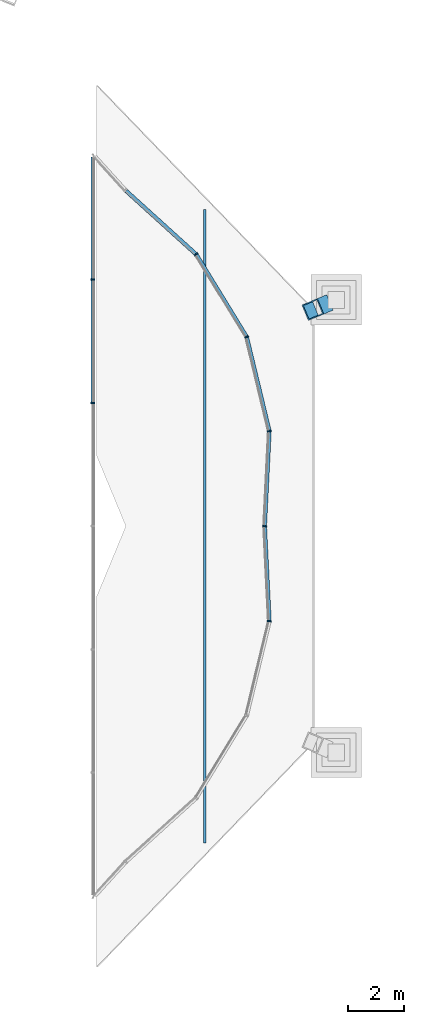
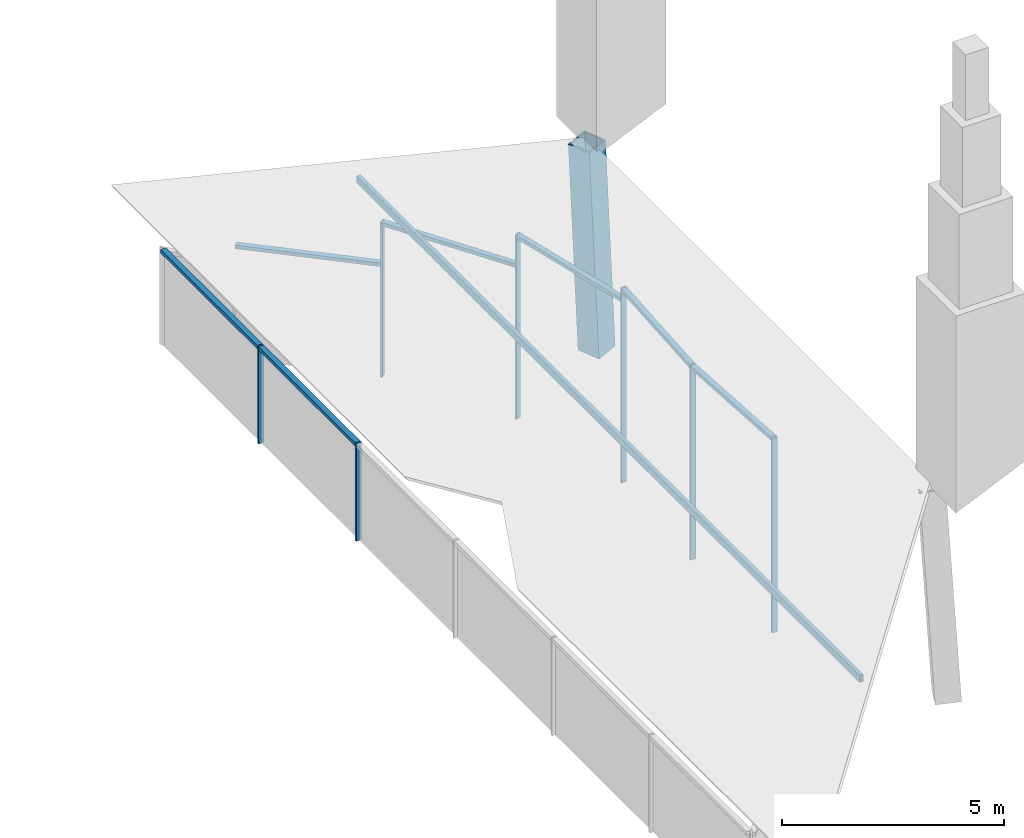
# One storey, part 2 of 8: 16 members, 4 elements without a shape of their own.
"""IFC4 building model written with IfcOpenShell, lengths in metres."""

from ifc_helpers import new_model, si_unit, direction, frame, origin, origin_2d, place, context, subcontext, project, spatial, rectangle, hollow_rectangle, extrude, material, material_profile, profile_set, type_object, element, aggregate, save


model = new_model("IFC4")

# Units and contexts
model_context = context("Model", 3, precision=1e-05, world=origin(), true_north=direction((0.0, 1.0)))
body_context = subcontext(model_context, "Body", "Model", "MODEL_VIEW")
ifc_project = project(units=[si_unit("LENGTHUNIT", "METRE"), si_unit("AREAUNIT", "SQUARE_METRE"), si_unit("VOLUMEUNIT", "CUBIC_METRE"), si_unit("PLANEANGLEUNIT", "RADIAN"), si_unit("MASSUNIT", "GRAM", prefix="KILO")], contexts=[model_context])

# Site, building, storey
site_placement = place(None, origin())
site = spatial("IfcSite", under=ifc_project, at=site_placement, CompositionType="ELEMENT")
building_placement = place(site_placement, origin())
building = spatial("IfcBuilding", under=site, at=building_placement, Name="Ogive Gate Towers", CompositionType="ELEMENT")
storey_placement = place(building_placement, frame((0.0, 0.0, 314.0)))
storey = spatial("IfcBuildingStorey", under=building, at=storey_placement, Name="L74", CompositionType="ELEMENT", Elevation=314.0)

# Curtain wall, members
ifc_material_1 = material(Name="Pale metal aluminium", Category="aluminium")
curtain_wall_type = type_object("IfcCurtainWallType", Name="Crown lean wall", PredefinedType="NOTDEFINED", material=ifc_material_1)
curtain_wall_1_placement = place(storey_placement, origin())
curtain_wall_1 = element("IfcCurtainWall", 1, at=curtain_wall_1_placement, inside=storey, type_object=curtain_wall_type, Name="CW5 T1 ECW01", PredefinedType="NOTDEFINED")
ifc_material_profile_1 = material_profile(ifc_material_1, rectangle(XDim=0.139892578125, YDim=0.050048828125, at=origin_2d()), Name="50 x 140 aluminium box")
ifc_profile_set_1 = profile_set([ifc_material_profile_1], Name="Pale metal aluminium")
member_type_1 = type_object("IfcMemberType", Name="Crown lean wall mullion 50 x 140", PredefinedType="MULLION", material=ifc_profile_set_1)
member_1_placement = place(storey_placement, frame((-21.48974609375, 9.711669921875, -0.300048828125), z_axis=(0.0, 0.0, 1.0), x_axis=(-0.770034644494, -0.638002073884, 0.0)))
member_1 = element("IfcMember", 2, at=member_1_placement, type_object=member_type_1, Name="CW5 mullion", PredefinedType="MULLION", context=body_context, shape_type="SweptSolid", body=[
    extrude(rectangle(XDim=0.139892578125, YDim=0.050048828125, at=origin_2d()), origin(), (0.0, 0.0, 1.0), 4.26123046875),
])
member_2_placement = place(storey_placement, frame((-19.68310546875, 6.7587890625, -0.300048828125), z_axis=(0.0, 0.0, 1.0), x_axis=(-0.923879532511, -0.382683432365, 0.0)))
member_2 = element("IfcMember", 3, at=member_2_placement, type_object=member_type_1, Name="CW5 mullion", PredefinedType="MULLION", context=body_context, shape_type="SweptSolid", body=[
    extrude(rectangle(XDim=0.139892578125, YDim=0.050048828125, at=origin_2d()), origin(), (0.0, 0.0, 1.0), 5.067138671875),
])
member_3_placement = place(storey_placement, frame((-18.87255859375, 3.39306640625, -0.300048828125), z_axis=(0.0, 0.0, 1.0), x_axis=(-0.995632311724, -0.093361126016, 0.0)))
member_3 = element("IfcMember", 4, at=member_3_placement, type_object=member_type_1, Name="CW5 mullion", PredefinedType="MULLION", context=body_context, shape_type="SweptSolid", body=[
    extrude(rectangle(XDim=0.139892578125, YDim=0.050048828125, at=origin_2d()), origin(), (0.0, 0.0, 1.0), 5.35400390625),
])
member_4_placement = place(storey_placement, frame((-19.039794921875, -0.00146484375, -0.300048828125), z_axis=(0.0, 0.0, 1.0), x_axis=(-0.998782145574, 0.049337872702, 0.0)))
member_4 = element("IfcMember", 5, at=member_4_placement, type_object=member_type_1, Name="CW5 mullion", PredefinedType="MULLION", context=body_context, shape_type="SweptSolid", body=[
    extrude(rectangle(XDim=0.139892578125, YDim=0.050048828125, at=origin_2d()), origin(), (0.0, 0.0, 1.0), 5.35400390625),
])

curtain_wall_2_placement = place(storey_placement, origin())
curtain_wall_2 = element("IfcCurtainWall", 6, at=curtain_wall_2_placement, inside=storey, type_object=curtain_wall_type, Name="CW5 T1 ECW01b", PredefinedType="NOTDEFINED")
member_5_placement = place(storey_placement, frame((-25.177001953125, 4.402099609375, -0.300048828125), z_axis=(0.0, 0.0, 1.0), x_axis=(1.0, 0.0, 0.0)))
member_5 = element("IfcMember", 7, at=member_5_placement, type_object=member_type_1, Name="CW5 mullion", PredefinedType="MULLION", context=body_context, shape_type="SweptSolid", body=[
    extrude(rectangle(XDim=0.139892578125, YDim=0.050048828125, at=origin_2d()), origin(), (0.0, 0.0, 1.0), 2.679931640625),
])
member_6_placement = place(storey_placement, frame((-25.177001953125, 8.80419921875, -0.300048828125), z_axis=(0.0, 0.0, 1.0), x_axis=(1.0, 0.0, 0.0)))
member_6 = element("IfcMember", 8, at=member_6_placement, type_object=member_type_1, Name="CW5 mullion", PredefinedType="MULLION", context=body_context, shape_type="SweptSolid", body=[
    extrude(rectangle(XDim=0.139892578125, YDim=0.050048828125, at=origin_2d()), origin(), (0.0, 0.0, 1.0), 2.679931640625),
])

# Curtain wall, member
curtain_wall_3_placement = place(storey_placement, origin())
curtain_wall_3 = element("IfcCurtainWall", 9, at=curtain_wall_3_placement, inside=storey, type_object=curtain_wall_type, Name="CW5 T1 ECW04", PredefinedType="NOTDEFINED")
member_7_placement = place(storey_placement, frame((-18.87255859375, -3.39306640625, -0.300048828125), z_axis=(0.0, 0.0, 1.0), x_axis=(-0.995632311724, 0.093361126016, 0.0)))
member_7 = element("IfcMember", 10, at=member_7_placement, type_object=member_type_1, Name="CW5 mullion", PredefinedType="MULLION", context=body_context, shape_type="SweptSolid", body=[
    extrude(rectangle(XDim=0.139892578125, YDim=0.050048828125, at=origin_2d()), origin(), (0.0, 0.0, 1.0), 5.35400390625),
])

# Member
ifc_material_profile_2 = material_profile(ifc_material_1, rectangle(XDim=0.139892578125, YDim=0.10009765625, at=origin_2d()), Name="100 x 140 aluminium box")
ifc_profile_set_2 = profile_set([ifc_material_profile_2], Name="Pale metal aluminium")
member_type_2 = type_object("IfcMemberType", Name="Crown lean wall transom 100 x 140", PredefinedType="USERDEFINED", material=ifc_profile_set_2)
member_8_placement = place(storey_placement, frame((-23.989990234375, 11.976806640625, 2.78564453125), z_axis=(0.741137897422, -0.67135282602, 0.0), x_axis=(0.67135282602, 0.741137897422, 0.0)))
member_8 = element("IfcMember", 11, at=member_8_placement, type_object=member_type_2, Name="CW5 transom", ObjectType="TRANSOM", PredefinedType="USERDEFINED", context=body_context, shape_type="SweptSolid", body=[
    extrude(rectangle(XDim=0.139892578125, YDim=0.10009765625, at=origin_2d()), origin(), (0.0, 0.0, 1.0), 3.344482421875),
])

member_9_placement = place(storey_placement, frame((-21.47412109375, 9.686767578125, 3.9111328125), z_axis=(0.521841760864, -0.853042306464, 0.0), x_axis=(0.853042306464, 0.521841760864, 0.0)))
member_9 = element("IfcMember", 12, at=member_9_placement, type_object=member_type_2, Name="CW5 transom", ObjectType="TRANSOM", PredefinedType="USERDEFINED", context=body_context, shape_type="SweptSolid", body=[
    extrude(rectangle(XDim=0.139892578125, YDim=0.10009765625, at=origin_2d()), origin(), (0.0, 0.0, 1.0), 3.402587890625),
])

member_10_placement = place(storey_placement, frame((-19.67578125, 6.72998046875, 4.71728515625), z_axis=(0.234102815344, -0.972211845149, 0.0), x_axis=(0.972211845149, 0.234102815344, 0.0)))
member_10 = element("IfcMember", 13, at=member_10_placement, type_object=member_type_2, Name="CW5 transom", ObjectType="TRANSOM", PredefinedType="USERDEFINED", context=body_context, shape_type="SweptSolid", body=[
    extrude(rectangle(XDim=0.139892578125, YDim=0.10009765625, at=origin_2d()), origin(), (0.0, 0.0, 1.0), 3.40283203125),
])

member_11_placement = place(storey_placement, frame((-18.873779296875, 3.364013671875, 5.00390625), z_axis=(-0.049344187643, -0.998781833608, 0.0), x_axis=(0.998781833608, -0.049344187643, 0.0)))
member_11 = element("IfcMember", 14, at=member_11_placement, type_object=member_type_2, Name="CW5 transom", ObjectType="TRANSOM", PredefinedType="USERDEFINED", context=body_context, shape_type="SweptSolid", body=[
    extrude(rectangle(XDim=0.139892578125, YDim=0.10009765625, at=origin_2d()), origin(), (0.0, 0.0, 1.0), 3.3447265625),
])

aggregate(curtain_wall_1, [member_1, member_8, member_2, member_9, member_3, member_10, member_4, member_11])

member_12_placement = place(storey_placement, frame((-25.177001953125, 4.427001953125, 2.330078125), z_axis=(0.0, 1.0, 0.0), x_axis=(-1.0, 0.0, 0.0)))
member_12 = element("IfcMember", 15, at=member_12_placement, type_object=member_type_2, Name="CW5 transom", ObjectType="TRANSOM", PredefinedType="USERDEFINED", context=body_context, shape_type="SweptSolid", body=[
    extrude(rectangle(XDim=0.139892578125, YDim=0.10009765625, at=origin_2d()), origin(), (0.0, 0.0, 1.0), 4.35205078125),
])

aggregate(curtain_wall_2, [member_5, member_6, member_12])

# Curtain wall, member
curtain_wall_4_placement = place(storey_placement, origin())
curtain_wall_4 = element("IfcCurtainWall", 16, at=curtain_wall_4_placement, inside=storey, type_object=curtain_wall_type, Name="CW5 T1 ECW02", PredefinedType="NOTDEFINED")
member_13_placement = place(storey_placement, frame((-25.177001953125, 8.8291015625, 2.330078125), z_axis=(0.0, 1.0, 0.0), x_axis=(-1.0, 0.0, 0.0)))
member_13 = element("IfcMember", 17, at=member_13_placement, type_object=member_type_2, Name="CW5 transom", ObjectType="TRANSOM", PredefinedType="USERDEFINED", context=body_context, shape_type="SweptSolid", body=[
    extrude(rectangle(XDim=0.139892578125, YDim=0.10009765625, at=origin_2d()), origin(), (0.0, 0.0, 1.0), 4.35205078125),
])
aggregate(curtain_wall_4, [member_13])

# Member
member_14_placement = place(storey_placement, frame((-19.038818359375, -0.0234375, 5.00390625), z_axis=(0.049344187643, -0.998781833608, 0.0), x_axis=(0.998781833608, 0.049344187643, 0.0)))
member_14 = element("IfcMember", 18, at=member_14_placement, type_object=member_type_2, Name="CW5 transom", ObjectType="TRANSOM", PredefinedType="USERDEFINED", context=body_context, shape_type="SweptSolid", body=[
    extrude(rectangle(XDim=0.139892578125, YDim=0.10009765625, at=origin_2d()), origin(), (0.0, 0.0, 1.0), 3.3447265625),
])

aggregate(curtain_wall_3, [member_7, member_14])

# Members
ifc_material_2 = material(Name="Steel SM460", Category="steel")
ifc_material_profile_3 = material_profile(ifc_material_2, hollow_rectangle(XDim=0.60009765625, YDim=0.60009765625, WallThickness=0.0400390625, at=origin_2d()), Name="BX 600x600x40")
ifc_profile_set_3 = profile_set([ifc_material_profile_3], Name="Steel SM460")
member_type_3 = type_object("IfcMemberType", Name="Crown rib BX 600x600x40", PredefinedType="MEMBER", material=ifc_profile_set_3)
member_15_placement = place(storey_placement, frame((-16.98486328125, 7.876220703125, 0.0), z_axis=(-0.056401702581, -0.023334332705, 0.99813544014), x_axis=(0.382291603221, -0.924041736128, 0.0)))
element("IfcMember", 19, at=member_15_placement, inside=storey, type_object=member_type_3, Name="T1/L74/STR001", PredefinedType="MEMBER", context=body_context, shape_type="SweptSolid", body=[
    extrude(hollow_rectangle(XDim=0.60009765625, YDim=0.60009765625, WallThickness=0.0400390625, at=origin_2d()), origin(), (0.0, 0.0, 1.0), 5.86962890625),
])
ifc_material_profile_4 = material_profile(ifc_material_2, hollow_rectangle(XDim=0.10009765625, YDim=0.199951171875, WallThickness=0.008056640625, at=origin_2d()), Name="RHS 200x100x8")
ifc_profile_set_4 = profile_set([ifc_material_profile_4], Name="Steel SM460")
member_type_4 = type_object("IfcMemberType", Name="Crown roof purlin RHS 200 x 100", PredefinedType="PURLIN", material=ifc_profile_set_4)
member_16_placement = place(storey_placement, frame((-21.181396484375, -11.31103515625, 4.029296875), z_axis=(0.0, 1.0, 0.0), x_axis=(-1.0, 0.0, 0.0)))
element("IfcMember", 20, at=member_16_placement, inside=storey, type_object=member_type_4, Name="Crown roof purlin", PredefinedType="PURLIN", context=body_context, shape_type="SweptSolid", body=[
    extrude(hollow_rectangle(XDim=0.10009765625, YDim=0.199951171875, WallThickness=0.008056640625, at=origin_2d()), origin(), (0.0, 0.0, 1.0), 22.6220703125),
])

save(model, "model.ifc")
